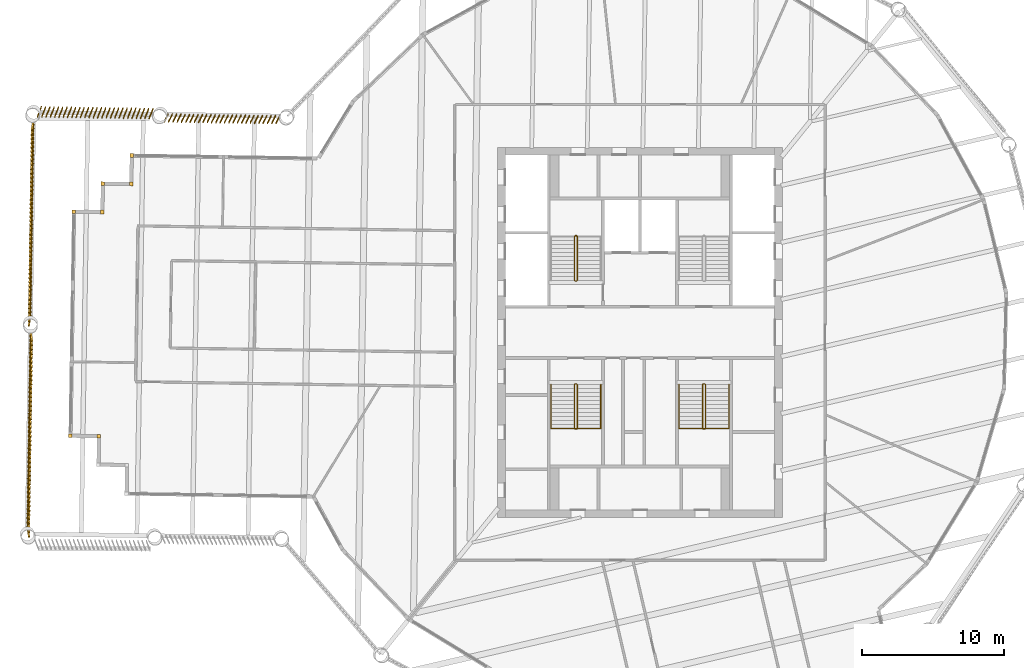
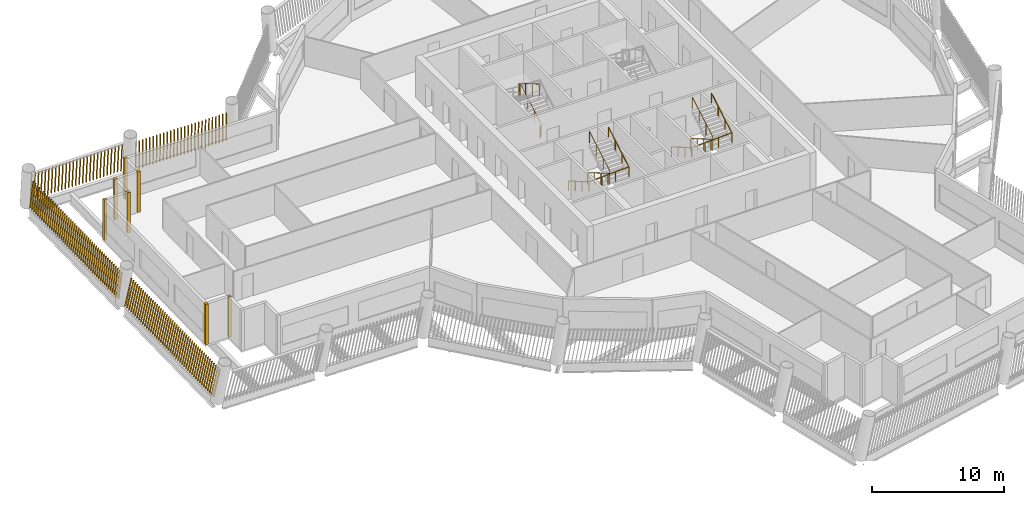
# One storey, part 12 of 15: 11 shading devices, 5 railings.
"""IFC4 building model written with IfcOpenShell, lengths in metres."""

from ifc_helpers import new_model, si_unit, direction, frame, frame_2d, origin, origin_2d, place, context, subcontext, project, spatial, rectangle, circle, composite_profile, extrude, material, type_object, element, save


model = new_model("IFC4")

# Units and contexts
model_context = context("Model", 3, precision=1e-05, world=origin(), true_north=direction((0.0, 1.0)))
body_context = subcontext(model_context, "Body", "Model", "MODEL_VIEW")
ifc_project = project(units=[si_unit("LENGTHUNIT", "METRE"), si_unit("AREAUNIT", "SQUARE_METRE"), si_unit("VOLUMEUNIT", "CUBIC_METRE"), si_unit("PLANEANGLEUNIT", "RADIAN"), si_unit("MASSUNIT", "GRAM", prefix="KILO")], contexts=[model_context])

# Site, building, storey
site_placement = place(None, origin())
site = spatial("IfcSite", under=ifc_project, at=site_placement, CompositionType="ELEMENT")
building_placement = place(site_placement, origin())
building = spatial("IfcBuilding", under=site, at=building_placement, Name="Tarsis Ring Headquarters", CompositionType="ELEMENT")
storey_placement = place(building_placement, frame((0.0, 0.0, 282.5)))
storey = spatial("IfcBuildingStorey", under=building, at=storey_placement, Name="L66", CompositionType="ELEMENT", Elevation=282.5)

# Railings
ifc_material_1 = material(Name="Steel S355", Category="steel")
railing_type_1 = type_object("IfcRailingType", Name="Core stair guard 1100", PredefinedType="GUARDRAIL", material=ifc_material_1)
railing_1_placement = place(storey_placement, frame((-4.5400390625, 3.610107421875, 0.0)))
element("IfcRailing", 1, at=railing_1_placement, inside=storey, type_object=railing_type_1, Name="L66 ST1 stair guard 1", PredefinedType="GUARDRAIL", context=body_context, shape_type="SweptSolid", body=[
    extrude(circle(Radius=0.02392578125, at=origin_2d()), frame((0.0, 0.0, 1.076171875), z_axis=(1.0, 0.0, 0.0), x_axis=(0.0, 1.0, 0.0)), (0.0, 0.0, 1.0), 0.080078125),
    extrude(circle(Radius=0.02392578125, at=origin_2d()), frame((0.080078125, 0.0, 1.076171875), z_axis=(0.282336740067, 0.280959487676, 0.917250092119), x_axis=(-0.705375805398, 0.708833529934, 0.0)), (0.0, 0.0, 1.0), 0.17724609375),
    extrude(circle(Radius=0.02392578125, at=origin_2d()), frame((0.130126953125, 0.0498046875, 1.23876953125), z_axis=(0.0, 0.864920483161, 0.501908913857), x_axis=(-1.0, 0.0, 0.0)), (0.0, 0.0, 1.0), 3.56103515625),
    extrude(circle(Radius=0.02392578125, at=origin_2d()), frame((0.130126953125, 3.1298828125, 3.02587890625), z_axis=(-0.707106781187, 0.707106781187, 0.0), x_axis=(-0.707106781187, -0.707106781187, 0.0)), (0.0, 0.0, 1.0), 0.07080078125),
    extrude(circle(Radius=0.02392578125, at=origin_2d()), frame((0.080078125, 3.179931640625, 3.02587890625), z_axis=(-1.0, 0.0, 0.0), x_axis=(0.0, -1.0, 0.0)), (0.0, 0.0, 1.0), 0.080078125),
    extrude(circle(Radius=0.02392578125, at=origin_2d()), frame((0.0, 3.179931640625, 3.02587890625), z_axis=(-0.282227285176, -0.282227285176, 0.916894497205), x_axis=(0.707106781187, -0.707106781187, 0.0)), (0.0, 0.0, 1.0), 0.17724609375),
    extrude(circle(Radius=0.02392578125, at=origin_2d()), frame((-0.050048828125, 3.1298828125, 3.1884765625), z_axis=(0.0, -0.864920483161, 0.501908913857), x_axis=(1.0, 0.0, 0.0)), (0.0, 0.0, 1.0), 3.56103515625),
    extrude(circle(Radius=0.02099609375, at=origin_2d()), origin(), (0.0, 0.0, 1.0), 1.052001953125),
    extrude(circle(Radius=0.02099609375, at=origin_2d()), frame((0.080078125, 0.0, 0.0)), (0.0, 0.0, 1.0), 1.052001953125),
    extrude(circle(Radius=0.02099609375, at=origin_2d()), frame((0.130126953125, 0.0498046875, 0.16259765625)), (0.0, 0.0, 1.0), 1.052001953125),
    extrude(circle(Radius=0.02099609375, at=origin_2d()), frame((0.130126953125, 1.076416015625, 0.75830078125)), (0.0, 0.0, 1.0), 1.052001953125),
    extrude(circle(Radius=0.02099609375, at=origin_2d()), frame((0.130126953125, 2.103271484375, 1.354248046875)), (0.0, 0.0, 1.0), 1.052001953125),
    extrude(circle(Radius=0.02099609375, at=origin_2d()), frame((0.130126953125, 3.1298828125, 1.949951171875)), (0.0, 0.0, 1.0), 1.052001953125),
    extrude(circle(Radius=0.02099609375, at=origin_2d()), frame((0.080078125, 3.179931640625, 1.949951171875)), (0.0, 0.0, 1.0), 1.052001953125),
    extrude(circle(Radius=0.02099609375, at=origin_2d()), frame((0.0, 3.179931640625, 1.949951171875)), (0.0, 0.0, 1.0), 1.052001953125),
    extrude(circle(Radius=0.02099609375, at=origin_2d()), frame((-0.050048828125, 3.1298828125, 2.112548828125)), (0.0, 0.0, 1.0), 1.052001953125),
    extrude(circle(Radius=0.02099609375, at=origin_2d()), frame((-0.050048828125, 2.103271484375, 2.708251953125)), (0.0, 0.0, 1.0), 1.052001953125),
    extrude(circle(Radius=0.02099609375, at=origin_2d()), frame((-0.050048828125, 1.076416015625, 3.30419921875)), (0.0, 0.0, 1.0), 1.052001953125),
    extrude(circle(Radius=0.02099609375, at=origin_2d()), frame((-0.050048828125, 0.0498046875, 3.89990234375)), (0.0, 0.0, 1.0), 1.052001953125),
])
railing_2_placement = place(storey_placement, frame((-4.4599609375, -3.610107421875, 0.0)))
element("IfcRailing", 2, at=railing_2_placement, inside=storey, type_object=railing_type_1, Name="L66 ST3 stair guard 1", PredefinedType="GUARDRAIL", context=body_context, shape_type="SweptSolid", body=[
    extrude(circle(Radius=0.02392578125, at=origin_2d()), frame((0.0, 0.0, 1.076171875), z_axis=(-1.0, 0.0, 0.0), x_axis=(0.0, -1.0, 0.0)), (0.0, 0.0, 1.0), 0.080078125),
    extrude(circle(Radius=0.02392578125, at=origin_2d()), frame((-0.080078125, 0.0, 1.076171875), z_axis=(-0.282336740067, -0.280959487676, 0.917250092119), x_axis=(0.705375805398, -0.708833529934, 0.0)), (0.0, 0.0, 1.0), 0.17724609375),
    extrude(circle(Radius=0.02392578125, at=origin_2d()), frame((-0.130126953125, -0.0498046875, 1.23876953125), z_axis=(0.0, -0.864920483161, 0.501908913857), x_axis=(1.0, 0.0, 0.0)), (0.0, 0.0, 1.0), 3.56103515625),
    extrude(circle(Radius=0.02392578125, at=origin_2d()), frame((-0.130126953125, -3.1298828125, 3.02587890625), z_axis=(0.707106781187, -0.707106781187, 0.0), x_axis=(0.707106781187, 0.707106781187, 0.0)), (0.0, 0.0, 1.0), 0.07080078125),
    extrude(circle(Radius=0.02392578125, at=origin_2d()), frame((-0.080078125, -3.179931640625, 3.02587890625), z_axis=(1.0, 0.0, 0.0), x_axis=(0.0, 1.0, 0.0)), (0.0, 0.0, 1.0), 0.080078125),
    extrude(circle(Radius=0.02392578125, at=origin_2d()), frame((0.0, -3.179931640625, 3.02587890625), z_axis=(0.282227285176, 0.282227285176, 0.916894497205), x_axis=(-0.707106781187, 0.707106781187, 0.0)), (0.0, 0.0, 1.0), 0.17724609375),
    extrude(circle(Radius=0.02392578125, at=origin_2d()), frame((0.050048828125, -3.1298828125, 3.1884765625), z_axis=(0.0, 0.864920483161, 0.501908913857), x_axis=(-1.0, 0.0, 0.0)), (0.0, 0.0, 1.0), 3.56103515625),
    extrude(circle(Radius=0.02099609375, at=origin_2d()), origin(), (0.0, 0.0, 1.0), 1.052001953125),
    extrude(circle(Radius=0.02099609375, at=origin_2d()), frame((-0.080078125, 0.0, 0.0)), (0.0, 0.0, 1.0), 1.052001953125),
    extrude(circle(Radius=0.02099609375, at=origin_2d()), frame((-0.130126953125, -0.0498046875, 0.16259765625)), (0.0, 0.0, 1.0), 1.052001953125),
    extrude(circle(Radius=0.02099609375, at=origin_2d()), frame((-0.130126953125, -1.076416015625, 0.75830078125)), (0.0, 0.0, 1.0), 1.052001953125),
    extrude(circle(Radius=0.02099609375, at=origin_2d()), frame((-0.130126953125, -2.103271484375, 1.354248046875)), (0.0, 0.0, 1.0), 1.052001953125),
    extrude(circle(Radius=0.02099609375, at=origin_2d()), frame((-0.130126953125, -3.1298828125, 1.949951171875)), (0.0, 0.0, 1.0), 1.052001953125),
    extrude(circle(Radius=0.02099609375, at=origin_2d()), frame((-0.080078125, -3.179931640625, 1.949951171875)), (0.0, 0.0, 1.0), 1.052001953125),
    extrude(circle(Radius=0.02099609375, at=origin_2d()), frame((0.0, -3.179931640625, 1.949951171875)), (0.0, 0.0, 1.0), 1.052001953125),
    extrude(circle(Radius=0.02099609375, at=origin_2d()), frame((0.050048828125, -3.1298828125, 2.112548828125)), (0.0, 0.0, 1.0), 1.052001953125),
    extrude(circle(Radius=0.02099609375, at=origin_2d()), frame((0.050048828125, -2.103271484375, 2.708251953125)), (0.0, 0.0, 1.0), 1.052001953125),
    extrude(circle(Radius=0.02099609375, at=origin_2d()), frame((0.050048828125, -1.076416015625, 3.30419921875)), (0.0, 0.0, 1.0), 1.052001953125),
    extrude(circle(Radius=0.02099609375, at=origin_2d()), frame((0.050048828125, -0.0498046875, 3.89990234375)), (0.0, 0.0, 1.0), 1.052001953125),
])
railing_3_placement = place(storey_placement, frame((4.5400390625, -3.610107421875, 0.0)))
element("IfcRailing", 3, at=railing_3_placement, inside=storey, type_object=railing_type_1, Name="L66 ST4 stair guard 1", PredefinedType="GUARDRAIL", context=body_context, shape_type="SweptSolid", body=[
    extrude(circle(Radius=0.02392578125, at=origin_2d()), frame((0.0, 0.0, 1.076171875), z_axis=(-1.0, 0.0, 0.0), x_axis=(0.0, -1.0, 0.0)), (0.0, 0.0, 1.0), 0.080078125),
    extrude(circle(Radius=0.02392578125, at=origin_2d()), frame((-0.080078125, 0.0, 1.076171875), z_axis=(-0.282336740067, -0.280959487676, 0.917250092119), x_axis=(0.705375805398, -0.708833529934, 0.0)), (0.0, 0.0, 1.0), 0.17724609375),
    extrude(circle(Radius=0.02392578125, at=origin_2d()), frame((-0.130126953125, -0.0498046875, 1.23876953125), z_axis=(0.0, -0.864920483161, 0.501908913857), x_axis=(1.0, 0.0, 0.0)), (0.0, 0.0, 1.0), 3.56103515625),
    extrude(circle(Radius=0.02392578125, at=origin_2d()), frame((-0.130126953125, -3.1298828125, 3.02587890625), z_axis=(0.707106781187, -0.707106781187, 0.0), x_axis=(0.707106781187, 0.707106781187, 0.0)), (0.0, 0.0, 1.0), 0.07080078125),
    extrude(circle(Radius=0.02392578125, at=origin_2d()), frame((-0.080078125, -3.179931640625, 3.02587890625), z_axis=(1.0, 0.0, 0.0), x_axis=(0.0, 1.0, 0.0)), (0.0, 0.0, 1.0), 0.080078125),
    extrude(circle(Radius=0.02392578125, at=origin_2d()), frame((0.0, -3.179931640625, 3.02587890625), z_axis=(0.282227285176, 0.282227285176, 0.916894497205), x_axis=(-0.707106781187, 0.707106781187, 0.0)), (0.0, 0.0, 1.0), 0.17724609375),
    extrude(circle(Radius=0.02392578125, at=origin_2d()), frame((0.050048828125, -3.1298828125, 3.1884765625), z_axis=(0.0, 0.864920483161, 0.501908913857), x_axis=(-1.0, 0.0, 0.0)), (0.0, 0.0, 1.0), 3.56103515625),
    extrude(circle(Radius=0.02099609375, at=origin_2d()), origin(), (0.0, 0.0, 1.0), 1.052001953125),
    extrude(circle(Radius=0.02099609375, at=origin_2d()), frame((-0.080078125, 0.0, 0.0)), (0.0, 0.0, 1.0), 1.052001953125),
    extrude(circle(Radius=0.02099609375, at=origin_2d()), frame((-0.130126953125, -0.0498046875, 0.16259765625)), (0.0, 0.0, 1.0), 1.052001953125),
    extrude(circle(Radius=0.02099609375, at=origin_2d()), frame((-0.130126953125, -1.076416015625, 0.75830078125)), (0.0, 0.0, 1.0), 1.052001953125),
    extrude(circle(Radius=0.02099609375, at=origin_2d()), frame((-0.130126953125, -2.103271484375, 1.354248046875)), (0.0, 0.0, 1.0), 1.052001953125),
    extrude(circle(Radius=0.02099609375, at=origin_2d()), frame((-0.130126953125, -3.1298828125, 1.949951171875)), (0.0, 0.0, 1.0), 1.052001953125),
    extrude(circle(Radius=0.02099609375, at=origin_2d()), frame((-0.080078125, -3.179931640625, 1.949951171875)), (0.0, 0.0, 1.0), 1.052001953125),
    extrude(circle(Radius=0.02099609375, at=origin_2d()), frame((0.0, -3.179931640625, 1.949951171875)), (0.0, 0.0, 1.0), 1.052001953125),
    extrude(circle(Radius=0.02099609375, at=origin_2d()), frame((0.050048828125, -3.1298828125, 2.112548828125)), (0.0, 0.0, 1.0), 1.052001953125),
    extrude(circle(Radius=0.02099609375, at=origin_2d()), frame((0.050048828125, -2.103271484375, 2.708251953125)), (0.0, 0.0, 1.0), 1.052001953125),
    extrude(circle(Radius=0.02099609375, at=origin_2d()), frame((0.050048828125, -1.076416015625, 3.30419921875)), (0.0, 0.0, 1.0), 1.052001953125),
    extrude(circle(Radius=0.02099609375, at=origin_2d()), frame((0.050048828125, -0.0498046875, 3.89990234375)), (0.0, 0.0, 1.0), 1.052001953125),
])
railing_type_2 = type_object("IfcRailingType", Name="Core stair handrail 900", PredefinedType="HANDRAIL", material=ifc_material_1)
railing_4_placement = place(storey_placement, frame((-6.25, -3.659912109375, 0.16259765625)))
element("IfcRailing", 4, at=railing_4_placement, inside=storey, type_object=railing_type_2, Name="L66 ST3 stair handrail 1", PredefinedType="HANDRAIL", context=body_context, shape_type="SweptSolid", body=[
    extrude(circle(Radius=0.02392578125, at=origin_2d()), frame((0.0, 0.0, 0.8759765625), z_axis=(0.0, -0.864920483161, 0.501908913857), x_axis=(1.0, 0.0, 0.0)), (0.0, 0.0, 1.0), 3.56103515625),
    extrude(circle(Radius=0.02392578125, at=origin_2d()), frame((0.0, -3.080078125, 2.6630859375), z_axis=(0.998922641604, 0.0, 0.046406422943), x_axis=(0.0, 1.0, 0.0)), (0.0, 0.0, 1.0), 3.503662109375),
    extrude(circle(Radius=0.02392578125, at=origin_2d()), frame((3.5, -3.080078125, 2.82568359375), z_axis=(0.0, 0.864920483161, 0.501908913857), x_axis=(-1.0, 0.0, 0.0)), (0.0, 0.0, 1.0), 3.56103515625),
    extrude(circle(Radius=0.02099609375, at=origin_2d()), origin(), (0.0, 0.0, 1.0), 0.851806640625),
    extrude(circle(Radius=0.02099609375, at=origin_2d()), frame((0.0, -1.026611328125, 0.595703125)), (0.0, 0.0, 1.0), 0.851806640625),
    extrude(circle(Radius=0.02099609375, at=origin_2d()), frame((0.0, -2.053466796875, 1.191650390625)), (0.0, 0.0, 1.0), 0.851806640625),
    extrude(circle(Radius=0.02099609375, at=origin_2d()), frame((0.0, -3.080078125, 1.787353515625)), (0.0, 0.0, 1.0), 0.851806640625),
    extrude(circle(Radius=0.02099609375, at=origin_2d()), frame((1.166748046875, -3.080078125, 1.841552734375)), (0.0, 0.0, 1.0), 0.851806640625),
    extrude(circle(Radius=0.02099609375, at=origin_2d()), frame((2.333251953125, -3.080078125, 1.895751953125)), (0.0, 0.0, 1.0), 0.851806640625),
    extrude(circle(Radius=0.02099609375, at=origin_2d()), frame((3.5, -3.080078125, 1.949951171875)), (0.0, 0.0, 1.0), 0.851806640625),
    extrude(circle(Radius=0.02099609375, at=origin_2d()), frame((3.5, -2.053466796875, 2.545654296875)), (0.0, 0.0, 1.0), 0.851806640625),
    extrude(circle(Radius=0.02099609375, at=origin_2d()), frame((3.5, -1.026611328125, 3.1416015625)), (0.0, 0.0, 1.0), 0.851806640625),
    extrude(circle(Radius=0.02099609375, at=origin_2d()), frame((3.5, 0.0, 3.7373046875)), (0.0, 0.0, 1.0), 0.851806640625),
])
railing_5_placement = place(storey_placement, frame((2.75, -3.659912109375, 0.16259765625)))
element("IfcRailing", 5, at=railing_5_placement, inside=storey, type_object=railing_type_2, Name="L66 ST4 stair handrail 1", PredefinedType="HANDRAIL", context=body_context, shape_type="SweptSolid", body=[
    extrude(circle(Radius=0.02392578125, at=origin_2d()), frame((0.0, 0.0, 0.8759765625), z_axis=(0.0, -0.864920483161, 0.501908913857), x_axis=(1.0, 0.0, 0.0)), (0.0, 0.0, 1.0), 3.56103515625),
    extrude(circle(Radius=0.02392578125, at=origin_2d()), frame((0.0, -3.080078125, 2.6630859375), z_axis=(0.998922641604, 0.0, 0.046406422943), x_axis=(0.0, 1.0, 0.0)), (0.0, 0.0, 1.0), 3.503662109375),
    extrude(circle(Radius=0.02392578125, at=origin_2d()), frame((3.5, -3.080078125, 2.82568359375), z_axis=(0.0, 0.864920483161, 0.501908913857), x_axis=(-1.0, 0.0, 0.0)), (0.0, 0.0, 1.0), 3.56103515625),
    extrude(circle(Radius=0.02099609375, at=origin_2d()), origin(), (0.0, 0.0, 1.0), 0.851806640625),
    extrude(circle(Radius=0.02099609375, at=origin_2d()), frame((0.0, -1.026611328125, 0.595703125)), (0.0, 0.0, 1.0), 0.851806640625),
    extrude(circle(Radius=0.02099609375, at=origin_2d()), frame((0.0, -2.053466796875, 1.191650390625)), (0.0, 0.0, 1.0), 0.851806640625),
    extrude(circle(Radius=0.02099609375, at=origin_2d()), frame((0.0, -3.080078125, 1.787353515625)), (0.0, 0.0, 1.0), 0.851806640625),
    extrude(circle(Radius=0.02099609375, at=origin_2d()), frame((1.166748046875, -3.080078125, 1.841552734375)), (0.0, 0.0, 1.0), 0.851806640625),
    extrude(circle(Radius=0.02099609375, at=origin_2d()), frame((2.333251953125, -3.080078125, 1.895751953125)), (0.0, 0.0, 1.0), 0.851806640625),
    extrude(circle(Radius=0.02099609375, at=origin_2d()), frame((3.5, -3.080078125, 1.949951171875)), (0.0, 0.0, 1.0), 0.851806640625),
    extrude(circle(Radius=0.02099609375, at=origin_2d()), frame((3.5, -2.053466796875, 2.545654296875)), (0.0, 0.0, 1.0), 0.851806640625),
    extrude(circle(Radius=0.02099609375, at=origin_2d()), frame((3.5, -1.026611328125, 3.1416015625)), (0.0, 0.0, 1.0), 0.851806640625),
    extrude(circle(Radius=0.02099609375, at=origin_2d()), frame((3.5, 0.0, 3.7373046875)), (0.0, 0.0, 1.0), 0.851806640625),
])

# Shading devices
ifc_material_2 = material(Name="Terracotta baguette", Category="masonry")
shading_device_type_1 = type_object("IfcShadingDeviceType", Name="Terracotta baguette screen", PredefinedType="USERDEFINED", material=ifc_material_2)
shading_device_1_placement = place(storey_placement, frame((-25.26513671875, 15.18994140625, 0.0), z_axis=(0.0, 0.0, 1.0), x_axis=(-0.999876421157, 0.01535467128, 0.0)))
element("IfcShadingDevice", 6, at=shading_device_1_placement, inside=storey, type_object=shading_device_type_1, Name="Baguette screen L66-15", ObjectType="Terracotta baguette screen", PredefinedType="USERDEFINED", context=body_context, shape_type="SweptSolid", body=[
    extrude(composite_profile([rectangle(XDim=0.06005859375, YDim=0.1201171875, at=frame_2d((0.030029296875, 0.0))), rectangle(XDim=0.06005859375, YDim=0.1201171875, at=frame_2d((0.33154296875, 0.0))), rectangle(XDim=0.06005859375, YDim=0.1201171875, at=frame_2d((0.63330078125, 0.0))), rectangle(XDim=0.06005859375, YDim=0.1201171875, at=frame_2d((0.934814453125, 0.0))), rectangle(XDim=0.06005859375, YDim=0.1201171875, at=frame_2d((1.236572265625, 0.0))), rectangle(XDim=0.06005859375, YDim=0.1201171875, at=frame_2d((1.5380859375, 0.0))), rectangle(XDim=0.06005859375, YDim=0.1201171875, at=frame_2d((1.83984375, 0.0))), rectangle(XDim=0.06005859375, YDim=0.1201171875, at=frame_2d((2.141357421875, 0.0))), rectangle(XDim=0.06005859375, YDim=0.1201171875, at=frame_2d((2.443115234375, 0.0))), rectangle(XDim=0.06005859375, YDim=0.1201171875, at=frame_2d((2.74462890625, 0.0))), rectangle(XDim=0.06005859375, YDim=0.1201171875, at=frame_2d((3.04638671875, 0.0))), rectangle(XDim=0.06005859375, YDim=0.1201171875, at=frame_2d((3.347900390625, 0.0))), rectangle(XDim=0.06005859375, YDim=0.1201171875, at=frame_2d((3.649658203125, 0.0))), rectangle(XDim=0.06005859375, YDim=0.1201171875, at=frame_2d((3.951171875, 0.0))), rectangle(XDim=0.06005859375, YDim=0.1201171875, at=frame_2d((4.252685546875, 0.0))), rectangle(XDim=0.06005859375, YDim=0.1201171875, at=frame_2d((4.554443359375, 0.0))), rectangle(XDim=0.06005859375, YDim=0.1201171875, at=frame_2d((4.85595703125, 0.0))), rectangle(XDim=0.06005859375, YDim=0.1201171875, at=frame_2d((5.15771484375, 0.0))), rectangle(XDim=0.06005859375, YDim=0.1201171875, at=frame_2d((5.459228515625, 0.0))), rectangle(XDim=0.06005859375, YDim=0.1201171875, at=frame_2d((5.760986328125, 0.0))), rectangle(XDim=0.06005859375, YDim=0.1201171875, at=frame_2d((6.0625, 0.0))), rectangle(XDim=0.06005859375, YDim=0.1201171875, at=frame_2d((6.3642578125, 0.0))), rectangle(XDim=0.06005859375, YDim=0.1201171875, at=frame_2d((6.665771484375, 0.0))), rectangle(XDim=0.06005859375, YDim=0.1201171875, at=frame_2d((6.967529296875, 0.0))), rectangle(XDim=0.06005859375, YDim=0.1201171875, at=frame_2d((7.26904296875, 0.0))), rectangle(XDim=0.06005859375, YDim=0.1201171875, at=frame_2d((7.57080078125, 0.0))), rectangle(XDim=0.06005859375, YDim=0.1201171875, at=frame_2d((7.872314453125, 0.0)))]), origin(), (0.083959946878, 0.170745705526, 0.981731445643), 3.02294921875),
])
shading_device_2_placement = place(storey_placement, frame((-34.16064453125, 15.701416015625, 0.0), z_axis=(0.0, 0.0, 1.0), x_axis=(-0.999876421157, 0.01535467128, 0.0)))
element("IfcShadingDevice", 7, at=shading_device_2_placement, inside=storey, type_object=shading_device_type_1, Name="Baguette screen L66-16", ObjectType="Terracotta baguette screen", PredefinedType="USERDEFINED", context=body_context, shape_type="SweptSolid", body=[
    extrude(composite_profile([rectangle(XDim=0.06005859375, YDim=0.1201171875, at=frame_2d((0.030029296875, 0.0))), rectangle(XDim=0.06005859375, YDim=0.1201171875, at=frame_2d((0.33154296875, 0.0))), rectangle(XDim=0.06005859375, YDim=0.1201171875, at=frame_2d((0.63330078125, 0.0))), rectangle(XDim=0.06005859375, YDim=0.1201171875, at=frame_2d((0.934814453125, 0.0))), rectangle(XDim=0.06005859375, YDim=0.1201171875, at=frame_2d((1.236572265625, 0.0))), rectangle(XDim=0.06005859375, YDim=0.1201171875, at=frame_2d((1.5380859375, 0.0))), rectangle(XDim=0.06005859375, YDim=0.1201171875, at=frame_2d((1.83984375, 0.0))), rectangle(XDim=0.06005859375, YDim=0.1201171875, at=frame_2d((2.141357421875, 0.0))), rectangle(XDim=0.06005859375, YDim=0.1201171875, at=frame_2d((2.443115234375, 0.0))), rectangle(XDim=0.06005859375, YDim=0.1201171875, at=frame_2d((2.74462890625, 0.0))), rectangle(XDim=0.06005859375, YDim=0.1201171875, at=frame_2d((3.04638671875, 0.0))), rectangle(XDim=0.06005859375, YDim=0.1201171875, at=frame_2d((3.347900390625, 0.0))), rectangle(XDim=0.06005859375, YDim=0.1201171875, at=frame_2d((3.649658203125, 0.0))), rectangle(XDim=0.06005859375, YDim=0.1201171875, at=frame_2d((3.951171875, 0.0))), rectangle(XDim=0.06005859375, YDim=0.1201171875, at=frame_2d((4.252685546875, 0.0))), rectangle(XDim=0.06005859375, YDim=0.1201171875, at=frame_2d((4.554443359375, 0.0))), rectangle(XDim=0.06005859375, YDim=0.1201171875, at=frame_2d((4.85595703125, 0.0))), rectangle(XDim=0.06005859375, YDim=0.1201171875, at=frame_2d((5.15771484375, 0.0))), rectangle(XDim=0.06005859375, YDim=0.1201171875, at=frame_2d((5.459228515625, 0.0))), rectangle(XDim=0.06005859375, YDim=0.1201171875, at=frame_2d((5.760986328125, 0.0))), rectangle(XDim=0.06005859375, YDim=0.1201171875, at=frame_2d((6.0625, 0.0))), rectangle(XDim=0.06005859375, YDim=0.1201171875, at=frame_2d((6.3642578125, 0.0))), rectangle(XDim=0.06005859375, YDim=0.1201171875, at=frame_2d((6.665771484375, 0.0))), rectangle(XDim=0.06005859375, YDim=0.1201171875, at=frame_2d((6.967529296875, 0.0))), rectangle(XDim=0.06005859375, YDim=0.1201171875, at=frame_2d((7.26904296875, 0.0))), rectangle(XDim=0.06005859375, YDim=0.1201171875, at=frame_2d((7.57080078125, 0.0))), rectangle(XDim=0.06005859375, YDim=0.1201171875, at=frame_2d((7.872314453125, 0.0)))]), origin(), (0.084811913195, 0.21991742504, 0.971824709268), 3.0537109375),
])
shading_device_3_placement = place(storey_placement, frame((-42.575439453125, 14.95556640625, 0.0), z_axis=(0.0, 0.0, 1.0), x_axis=(-0.015356037152, -0.999876160991, 0.0)))
element("IfcShadingDevice", 8, at=shading_device_3_placement, inside=storey, type_object=shading_device_type_1, Name="Baguette screen L66-17", ObjectType="Terracotta baguette screen", PredefinedType="USERDEFINED", context=body_context, shape_type="SweptSolid", body=[
    extrude(composite_profile([rectangle(XDim=0.06005859375, YDim=0.1201171875, at=frame_2d((0.030029296875, 0.0))), rectangle(XDim=0.06005859375, YDim=0.1201171875, at=frame_2d((0.33544921875, 0.0))), rectangle(XDim=0.06005859375, YDim=0.1201171875, at=frame_2d((0.640625, 0.0))), rectangle(XDim=0.06005859375, YDim=0.1201171875, at=frame_2d((0.946044921875, 0.0))), rectangle(XDim=0.06005859375, YDim=0.1201171875, at=frame_2d((1.25146484375, 0.0))), rectangle(XDim=0.06005859375, YDim=0.1201171875, at=frame_2d((1.556640625, 0.0))), rectangle(XDim=0.06005859375, YDim=0.1201171875, at=frame_2d((1.862060546875, 0.0))), rectangle(XDim=0.06005859375, YDim=0.1201171875, at=frame_2d((2.16748046875, 0.0))), rectangle(XDim=0.06005859375, YDim=0.1201171875, at=frame_2d((2.47265625, 0.0))), rectangle(XDim=0.06005859375, YDim=0.1201171875, at=frame_2d((2.778076171875, 0.0))), rectangle(XDim=0.06005859375, YDim=0.1201171875, at=frame_2d((3.08349609375, 0.0))), rectangle(XDim=0.06005859375, YDim=0.1201171875, at=frame_2d((3.388671875, 0.0))), rectangle(XDim=0.06005859375, YDim=0.1201171875, at=frame_2d((3.694091796875, 0.0))), rectangle(XDim=0.06005859375, YDim=0.1201171875, at=frame_2d((3.99951171875, 0.0))), rectangle(XDim=0.06005859375, YDim=0.1201171875, at=frame_2d((4.3046875, 0.0))), rectangle(XDim=0.06005859375, YDim=0.1201171875, at=frame_2d((4.610107421875, 0.0))), rectangle(XDim=0.06005859375, YDim=0.1201171875, at=frame_2d((4.91552734375, 0.0))), rectangle(XDim=0.06005859375, YDim=0.1201171875, at=frame_2d((5.220703125, 0.0))), rectangle(XDim=0.06005859375, YDim=0.1201171875, at=frame_2d((5.526123046875, 0.0))), rectangle(XDim=0.06005859375, YDim=0.1201171875, at=frame_2d((5.83154296875, 0.0))), rectangle(XDim=0.06005859375, YDim=0.1201171875, at=frame_2d((6.13671875, 0.0))), rectangle(XDim=0.06005859375, YDim=0.1201171875, at=frame_2d((6.442138671875, 0.0))), rectangle(XDim=0.06005859375, YDim=0.1201171875, at=frame_2d((6.74755859375, 0.0))), rectangle(XDim=0.06005859375, YDim=0.1201171875, at=frame_2d((7.052734375, 0.0))), rectangle(XDim=0.06005859375, YDim=0.1201171875, at=frame_2d((7.358154296875, 0.0))), rectangle(XDim=0.06005859375, YDim=0.1201171875, at=frame_2d((7.66357421875, 0.0))), rectangle(XDim=0.06005859375, YDim=0.1201171875, at=frame_2d((7.96875, 0.0))), rectangle(XDim=0.06005859375, YDim=0.1201171875, at=frame_2d((8.274169921875, 0.0))), rectangle(XDim=0.06005859375, YDim=0.1201171875, at=frame_2d((8.57958984375, 0.0))), rectangle(XDim=0.06005859375, YDim=0.1201171875, at=frame_2d((8.884765625, 0.0))), rectangle(XDim=0.06005859375, YDim=0.1201171875, at=frame_2d((9.190185546875, 0.0))), rectangle(XDim=0.06005859375, YDim=0.1201171875, at=frame_2d((9.49560546875, 0.0))), rectangle(XDim=0.06005859375, YDim=0.1201171875, at=frame_2d((9.80078125, 0.0))), rectangle(XDim=0.06005859375, YDim=0.1201171875, at=frame_2d((10.106201171875, 0.0))), rectangle(XDim=0.06005859375, YDim=0.1201171875, at=frame_2d((10.41162109375, 0.0))), rectangle(XDim=0.06005859375, YDim=0.1201171875, at=frame_2d((10.716796875, 0.0))), rectangle(XDim=0.06005859375, YDim=0.1201171875, at=frame_2d((11.022216796875, 0.0))), rectangle(XDim=0.06005859375, YDim=0.1201171875, at=frame_2d((11.32763671875, 0.0))), rectangle(XDim=0.06005859375, YDim=0.1201171875, at=frame_2d((11.6328125, 0.0))), rectangle(XDim=0.06005859375, YDim=0.1201171875, at=frame_2d((11.938232421875, 0.0))), rectangle(XDim=0.06005859375, YDim=0.1201171875, at=frame_2d((12.24365234375, 0.0))), rectangle(XDim=0.06005859375, YDim=0.1201171875, at=frame_2d((12.548828125, 0.0))), rectangle(XDim=0.06005859375, YDim=0.1201171875, at=frame_2d((12.854248046875, 0.0))), rectangle(XDim=0.06005859375, YDim=0.1201171875, at=frame_2d((13.15966796875, 0.0))), rectangle(XDim=0.06005859375, YDim=0.1201171875, at=frame_2d((13.46484375, 0.0))), rectangle(XDim=0.06005859375, YDim=0.1201171875, at=frame_2d((13.770263671875, 0.0)))]), origin(), (0.244228118069, -0.040035087478, 0.968891024891), 3.06298828125),
])
shading_device_4_placement = place(storey_placement, frame((-42.802734375, 0.157470703125, 0.0), z_axis=(0.0, 0.0, 1.0), x_axis=(-0.015356037152, -0.999876160991, 0.0)))
element("IfcShadingDevice", 9, at=shading_device_4_placement, inside=storey, type_object=shading_device_type_1, Name="Baguette screen L66-18", ObjectType="Terracotta baguette screen", PredefinedType="USERDEFINED", context=body_context, shape_type="SweptSolid", body=[
    extrude(composite_profile([rectangle(XDim=0.06005859375, YDim=0.1201171875, at=frame_2d((0.030029296875, 0.0))), rectangle(XDim=0.06005859375, YDim=0.1201171875, at=frame_2d((0.33544921875, 0.0))), rectangle(XDim=0.06005859375, YDim=0.1201171875, at=frame_2d((0.640625, 0.0))), rectangle(XDim=0.06005859375, YDim=0.1201171875, at=frame_2d((0.946044921875, 0.0))), rectangle(XDim=0.06005859375, YDim=0.1201171875, at=frame_2d((1.25146484375, 0.0))), rectangle(XDim=0.06005859375, YDim=0.1201171875, at=frame_2d((1.556640625, 0.0))), rectangle(XDim=0.06005859375, YDim=0.1201171875, at=frame_2d((1.862060546875, 0.0))), rectangle(XDim=0.06005859375, YDim=0.1201171875, at=frame_2d((2.16748046875, 0.0))), rectangle(XDim=0.06005859375, YDim=0.1201171875, at=frame_2d((2.47265625, 0.0))), rectangle(XDim=0.06005859375, YDim=0.1201171875, at=frame_2d((2.778076171875, 0.0))), rectangle(XDim=0.06005859375, YDim=0.1201171875, at=frame_2d((3.08349609375, 0.0))), rectangle(XDim=0.06005859375, YDim=0.1201171875, at=frame_2d((3.388671875, 0.0))), rectangle(XDim=0.06005859375, YDim=0.1201171875, at=frame_2d((3.694091796875, 0.0))), rectangle(XDim=0.06005859375, YDim=0.1201171875, at=frame_2d((3.99951171875, 0.0))), rectangle(XDim=0.06005859375, YDim=0.1201171875, at=frame_2d((4.3046875, 0.0))), rectangle(XDim=0.06005859375, YDim=0.1201171875, at=frame_2d((4.610107421875, 0.0))), rectangle(XDim=0.06005859375, YDim=0.1201171875, at=frame_2d((4.91552734375, 0.0))), rectangle(XDim=0.06005859375, YDim=0.1201171875, at=frame_2d((5.220703125, 0.0))), rectangle(XDim=0.06005859375, YDim=0.1201171875, at=frame_2d((5.526123046875, 0.0))), rectangle(XDim=0.06005859375, YDim=0.1201171875, at=frame_2d((5.83154296875, 0.0))), rectangle(XDim=0.06005859375, YDim=0.1201171875, at=frame_2d((6.13671875, 0.0))), rectangle(XDim=0.06005859375, YDim=0.1201171875, at=frame_2d((6.442138671875, 0.0))), rectangle(XDim=0.06005859375, YDim=0.1201171875, at=frame_2d((6.74755859375, 0.0))), rectangle(XDim=0.06005859375, YDim=0.1201171875, at=frame_2d((7.052734375, 0.0))), rectangle(XDim=0.06005859375, YDim=0.1201171875, at=frame_2d((7.358154296875, 0.0))), rectangle(XDim=0.06005859375, YDim=0.1201171875, at=frame_2d((7.66357421875, 0.0))), rectangle(XDim=0.06005859375, YDim=0.1201171875, at=frame_2d((7.96875, 0.0))), rectangle(XDim=0.06005859375, YDim=0.1201171875, at=frame_2d((8.274169921875, 0.0))), rectangle(XDim=0.06005859375, YDim=0.1201171875, at=frame_2d((8.57958984375, 0.0))), rectangle(XDim=0.06005859375, YDim=0.1201171875, at=frame_2d((8.884765625, 0.0))), rectangle(XDim=0.06005859375, YDim=0.1201171875, at=frame_2d((9.190185546875, 0.0))), rectangle(XDim=0.06005859375, YDim=0.1201171875, at=frame_2d((9.49560546875, 0.0))), rectangle(XDim=0.06005859375, YDim=0.1201171875, at=frame_2d((9.80078125, 0.0))), rectangle(XDim=0.06005859375, YDim=0.1201171875, at=frame_2d((10.106201171875, 0.0))), rectangle(XDim=0.06005859375, YDim=0.1201171875, at=frame_2d((10.41162109375, 0.0))), rectangle(XDim=0.06005859375, YDim=0.1201171875, at=frame_2d((10.716796875, 0.0))), rectangle(XDim=0.06005859375, YDim=0.1201171875, at=frame_2d((11.022216796875, 0.0))), rectangle(XDim=0.06005859375, YDim=0.1201171875, at=frame_2d((11.32763671875, 0.0))), rectangle(XDim=0.06005859375, YDim=0.1201171875, at=frame_2d((11.6328125, 0.0))), rectangle(XDim=0.06005859375, YDim=0.1201171875, at=frame_2d((11.938232421875, 0.0))), rectangle(XDim=0.06005859375, YDim=0.1201171875, at=frame_2d((12.24365234375, 0.0))), rectangle(XDim=0.06005859375, YDim=0.1201171875, at=frame_2d((12.548828125, 0.0))), rectangle(XDim=0.06005859375, YDim=0.1201171875, at=frame_2d((12.854248046875, 0.0))), rectangle(XDim=0.06005859375, YDim=0.1201171875, at=frame_2d((13.15966796875, 0.0))), rectangle(XDim=0.06005859375, YDim=0.1201171875, at=frame_2d((13.46484375, 0.0))), rectangle(XDim=0.06005859375, YDim=0.1201171875, at=frame_2d((13.770263671875, 0.0)))]), origin(), (0.243492368262, 0.044290109413, 0.968891042794), 3.06298828125),
])
shading_device_type_2 = type_object("IfcShadingDeviceType", Name="Terracotta corner baguette 250x250", PredefinedType="USERDEFINED", material=ifc_material_2)
for number, where, z_axis, x_axis, name in (
    (10, (-35.6884765625, 12.424560546875, 0.0), (0.0, 0.0, 1.0), (-0.99988205499, 0.015358258672, 0.0), "Corner baguette L66-32"),
    (11, (-35.718994140625, 10.4248046875, 0.0), (0.0, 0.0, 1.0), (-0.015357996904, -0.999882059011, 0.0), "Corner baguette L66-33"),
    (12, (-37.71875, 10.45556640625, 0.0), (0.0, 0.0, 1.0), (-0.999882059011, 0.015357996904, 0.0), "Corner baguette L66-34"),
    (13, (-37.74951171875, 8.455810546875, 0.0), (0.0, 0.0, 1.0), (-0.015357996904, -0.999882059011, 0.0), "Corner baguette L66-35"),
    (14, (-39.749267578125, 8.486572265625, 0.0), (0.0, 0.0, 1.0), (-0.999882051505, 0.015358485539, 0.0), "Corner baguette L66-36"),
    (15, (-39.9912109375, -7.26171875, 0.0), (0.0, 0.0, 1.0), (-0.015358241221, -0.999882055258, 0.0), "Corner baguette L66-37"),
    (16, (-37.991455078125, -7.29248046875, 0.0), (0.0, 0.0, 1.0), (0.999882059011, -0.015357996904, 0.0), "Corner baguette L66-38"),
):
    element("IfcShadingDevice", number, at=place(storey_placement, frame(where, z_axis=z_axis, x_axis=x_axis)), inside=storey, type_object=shading_device_type_2, Name=name, ObjectType="Terracotta corner baguette", PredefinedType="USERDEFINED", context=body_context, shape_type="SweptSolid", body=[
        extrude(rectangle(XDim=0.25, YDim=0.25, at=origin_2d()), origin(), (0.0, 0.0, 1.0), 3.739990234375),
    ])

save(model, "model.ifc")
